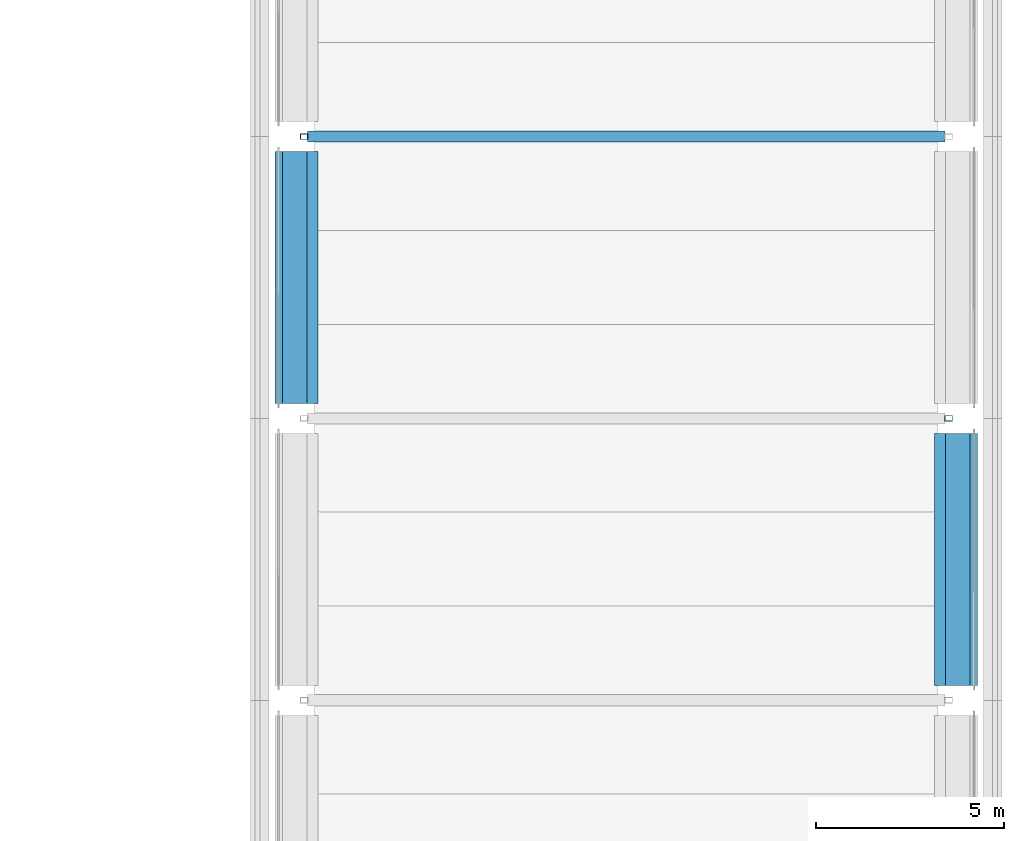
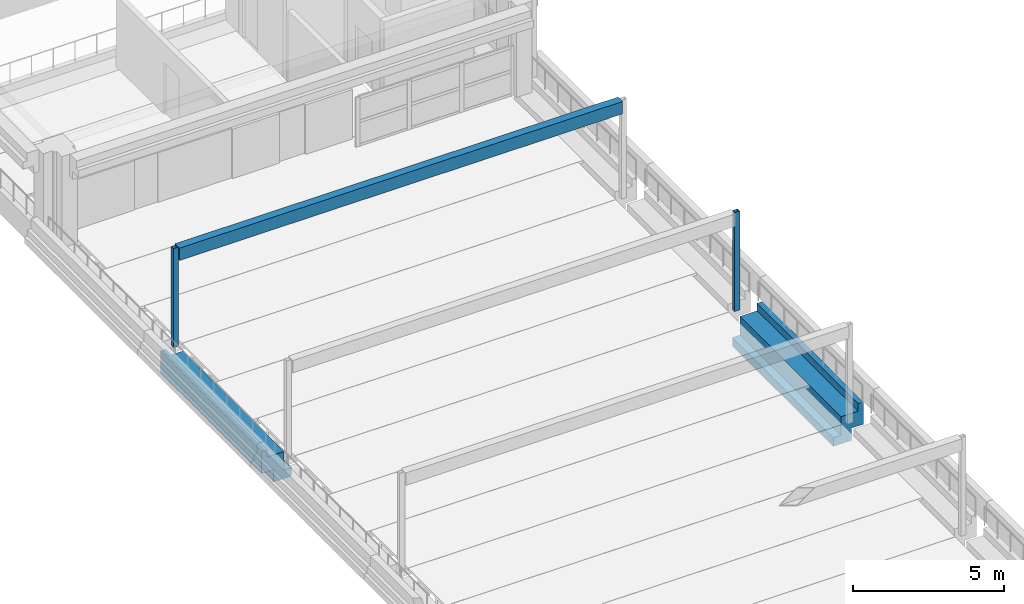
# One storey, part 31 of 62: 3 beams, 2 members.
"""IFC4 building model written with IfcOpenShell, lengths in metres."""

from ifc_helpers import new_model, si_unit, direction, frame, origin, origin_2d, place, context, subcontext, project, spatial, polyline, hollow_rectangle, outline, extrude, material, material_profile, profile_set, type_object, element, save


model = new_model("IFC4")

# Units and contexts
model_context = context("Model", 3, precision=1e-05, world=origin(), true_north=direction((0.0, 1.0)))
body_context = subcontext(model_context, "Body", "Model", "MODEL_VIEW")
ifc_project = project(units=[si_unit("LENGTHUNIT", "METRE"), si_unit("AREAUNIT", "SQUARE_METRE"), si_unit("VOLUMEUNIT", "CUBIC_METRE"), si_unit("PLANEANGLEUNIT", "RADIAN"), si_unit("MASSUNIT", "GRAM", prefix="KILO")], contexts=[model_context])

# Site, building, storey
site_placement = place(None, origin())
site = spatial("IfcSite", under=ifc_project, at=site_placement, CompositionType="ELEMENT")
building_placement = place(site_placement, origin())
building = spatial("IfcBuilding", under=site, at=building_placement, Name="Cour d'Honneur Mobility Palace", CompositionType="ELEMENT")
storey_placement = place(building_placement, frame((0.0, 0.0, 19.300048828125)))
storey = spatial("IfcBuildingStorey", under=building, at=storey_placement, Name="L05", CompositionType="ELEMENT", Elevation=19.300048828125)

# Beams
ifc_material_1 = material(Name="Concrete C45", Category="concrete")
ifc_material_profile_1 = material_profile(ifc_material_1, outline(polyline([(0.5, -1.10009765625), (0.5, -0.75), (0.199951171875, -0.75), (0.199951171875, 0.0), (-0.199951171875, 0.0), (-0.449951171875, 0.0), (-0.449951171875, 0.300048828125), (-0.64990234375, 0.300048828125), (-0.64990234375, -0.60009765625), (-0.199951171875, -0.60009765625), (-0.199951171875, -1.10009765625), (0.5, -1.10009765625)])), Name="Ledger Beam 400x1100 ledge left 350 facade right")
ifc_profile_set_1 = profile_set([ifc_material_profile_1], Name="Concrete C45")
beam_type_1 = type_object("IfcBeamType", Name="Ledger Beam 400x1100 ledge left 350 facade right", PredefinedType="BEAM", material=ifc_profile_set_1)
beam_1_placement = place(storey_placement, frame((162.300048828125, 85.300048828125, 0.0), z_axis=(0.0, 1.0, 0.0), x_axis=(-1.0, 0.0, 0.0)))
element("IfcBeam", 1, at=beam_1_placement, inside=storey, type_object=beam_type_1, Name="Precast beam B2 L-M L05", PredefinedType="BEAM", context=body_context, shape_type="SweptSolid", body=[
    extrude(outline(polyline([(0.5, -1.10009765625), (0.5, -0.75), (0.199951171875, -0.75), (0.199951171875, 0.0), (-0.199951171875, 0.0), (-0.449951171875, 0.0), (-0.449951171875, 0.300048828125), (-0.64990234375, 0.300048828125), (-0.64990234375, -0.60009765625), (-0.199951171875, -0.60009765625), (-0.199951171875, -1.10009765625), (0.5, -1.10009765625)])), origin(), (0.0, 0.0, 1.0), 6.699951171875),
])
ifc_material_2 = material(Name="Concrete C45", Category="concrete")
ifc_material_profile_2 = material_profile(ifc_material_2, outline(polyline([(0.199951171875, -1.10009765625), (0.199951171875, -0.60009765625), (0.64990234375, -0.60009765625), (0.64990234375, 0.300048828125), (0.449951171875, 0.300048828125), (0.449951171875, 0.0), (0.199951171875, 0.0), (-0.199951171875, 0.0), (-0.199951171875, -0.75), (-0.5, -0.75), (-0.5, -1.10009765625), (0.199951171875, -1.10009765625)])), Name="Ledger Beam 400x1100 ledge right 350 facade left")
ifc_profile_set_2 = profile_set([ifc_material_profile_2], Name="Concrete C45")
beam_type_2 = type_object("IfcBeamType", Name="Ledger Beam 400x1100 ledge right 350 facade left", PredefinedType="BEAM", material=ifc_profile_set_2)
beam_2_placement = place(storey_placement, frame((144.89990234375, 92.800048828125, 0.0), z_axis=(0.0, 1.0, 0.0), x_axis=(-1.0, 0.0, 0.0)))
element("IfcBeam", 2, at=beam_2_placement, inside=storey, type_object=beam_type_2, Name="Precast beam B4 M-N L05", PredefinedType="BEAM", context=body_context, shape_type="SweptSolid", body=[
    extrude(outline(polyline([(0.199951171875, -1.10009765625), (0.199951171875, -0.60009765625), (0.64990234375, -0.60009765625), (0.64990234375, 0.300048828125), (0.449951171875, 0.300048828125), (0.449951171875, 0.0), (0.199951171875, 0.0), (-0.199951171875, 0.0), (-0.199951171875, -0.75), (-0.5, -0.75), (-0.5, -1.10009765625), (0.199951171875, -1.10009765625)])), origin(), (0.0, 0.0, 1.0), 6.699951171875),
])

# Members
ifc_material_3 = material(Name="Steel S355", Category="steel")
ifc_material_profile_3 = material_profile(ifc_material_3, hollow_rectangle(XDim=0.14990234375, YDim=0.199951171875, WallThickness=0.008056640625, at=origin_2d()), Name="RHS 200x150x8")
ifc_profile_set_3 = profile_set([ifc_material_profile_3], Name="Steel S355")
member_type = type_object("IfcMemberType", Name="Terrace post RHS 200x150x8", PredefinedType="POST", material=ifc_profile_set_3)
for number, where, z_axis, x_axis, name in (
    (3, (162.175048828125, 92.39990234375, 0.0), (0.0, 0.0, 1.0), (0.0, 1.0, 0.0), "Terrace post TP-S4E"),
    (4, (145.02490234375, 99.89990234375, 0.0), (0.0, 0.0, 1.0), (0.0, 1.0, 0.0), "Terrace post TP-S5W"),
):
    element("IfcMember", number, at=place(storey_placement, frame(where, z_axis=z_axis, x_axis=x_axis)), inside=storey, type_object=member_type, Name=name, PredefinedType="POST", context=body_context, shape_type="SweptSolid", body=[
        extrude(hollow_rectangle(XDim=0.14990234375, YDim=0.199951171875, WallThickness=0.008056640625, at=origin_2d()), origin(), (0.0, 0.0, 1.0), 4.0),
    ])

# Beam
ifc_material_4 = material(Name="Steel S355", Category="steel")
ifc_material_profile_4 = material_profile(ifc_material_4, hollow_rectangle(XDim=0.300048828125, YDim=0.5, WallThickness=0.01611328125, at=origin_2d()), Name="RHS 500x300x16")
ifc_profile_set_4 = profile_set([ifc_material_profile_4], Name="Steel S355")
beam_type_3 = type_object("IfcBeamType", Name="Terrace tie beam RHS 500x300x16", PredefinedType="BEAM", material=ifc_profile_set_4)
beam_3_placement = place(storey_placement, frame((145.125, 99.89990234375, 3.75), z_axis=(1.0, 0.0, 0.0), x_axis=(0.0, 1.0, 0.0)))
element("IfcBeam", 5, at=beam_3_placement, inside=storey, type_object=beam_type_3, Name="Terrace tie beam TT-S5", PredefinedType="BEAM", context=body_context, shape_type="SweptSolid", body=[
    extrude(hollow_rectangle(XDim=0.300048828125, YDim=0.5, WallThickness=0.01611328125, at=origin_2d()), origin(), (0.0, 0.0, 1.0), 16.949951171875),
])

save(model, "model.ifc")
